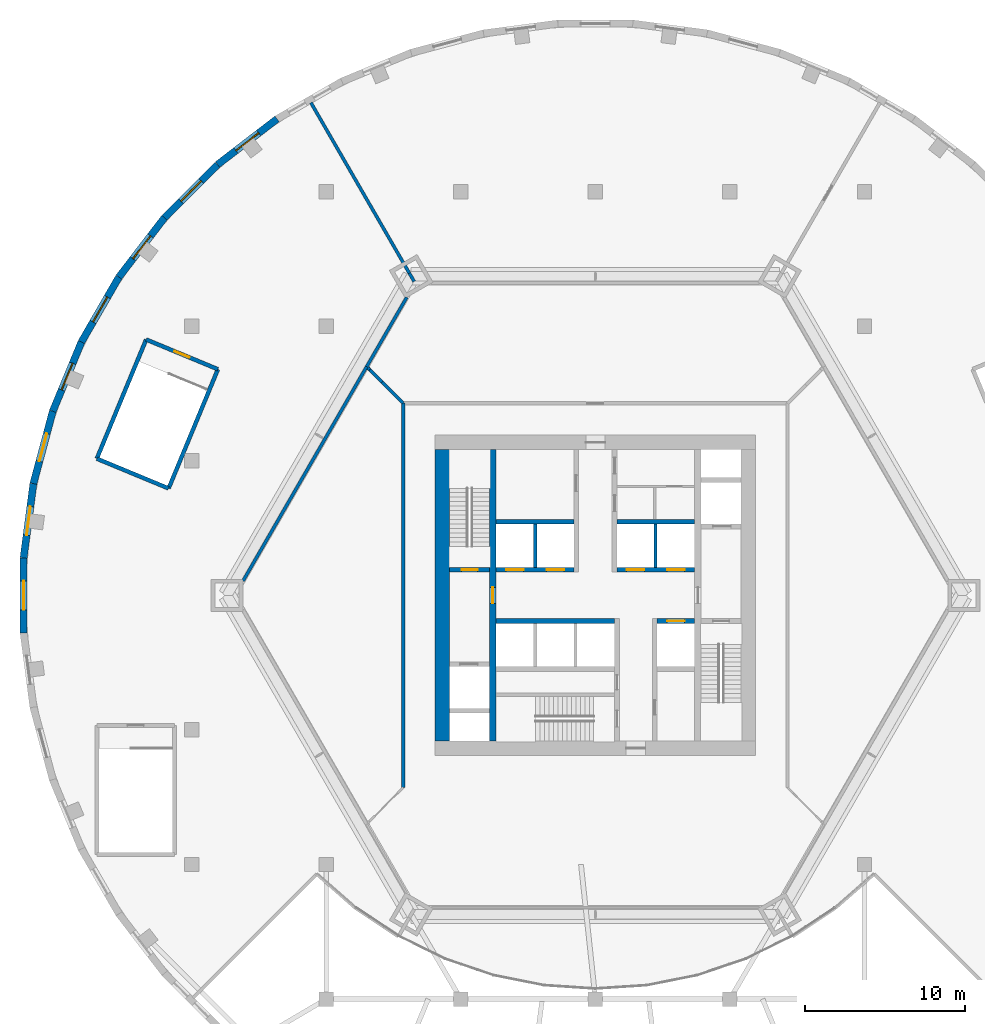
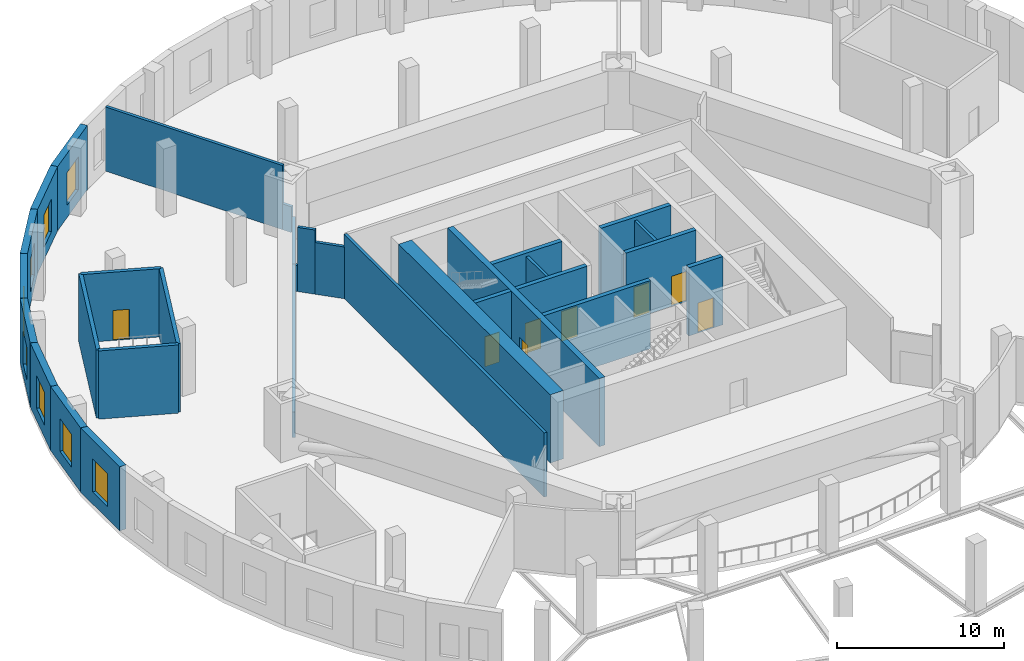
# One storey, part 6 of 10: 31 walls, 8 doors, 8 windows, 16 openings.
"""IFC4 building model written with IfcOpenShell, lengths in metres."""

from ifc_helpers import new_model, si_unit, direction, frame, frame_2d, origin, place, context, subcontext, project, spatial, rectangle, extrude, material, layer, layer_set, type_object, element, fill, save


model = new_model("IFC4")

# Units and contexts
model_context = context("Model", 3, precision=1e-05, world=origin(), true_north=direction((0.0, 1.0)))
body_context = subcontext(model_context, "Body", "Model", "MODEL_VIEW")
ifc_project = project(units=[si_unit("LENGTHUNIT", "METRE"), si_unit("AREAUNIT", "SQUARE_METRE"), si_unit("VOLUMEUNIT", "CUBIC_METRE"), si_unit("PLANEANGLEUNIT", "RADIAN"), si_unit("MASSUNIT", "GRAM", prefix="KILO")], contexts=[model_context])

# Site, building, storey
site_placement = place(None, origin())
site = spatial("IfcSite", under=ifc_project, at=site_placement, CompositionType="ELEMENT")
building_placement = place(site_placement, origin())
building = spatial("IfcBuilding", under=site, at=building_placement, Name="Golbaran Civic Tower", CompositionType="ELEMENT")
storey_placement = place(building_placement, frame((0.0, 0.0, 16.0)))
storey = spatial("IfcBuildingStorey", under=building, at=storey_placement, Name="L03", CompositionType="ELEMENT", Elevation=16.0)

# Wall, opening, door
ifc_material_1 = material(Name="Concrete C50/60", Category="concrete")
ifc_layer_1 = layer(ifc_material_1, 0.39990234375, Name="Concrete C50/60")
ifc_layer_set_1 = layer_set([ifc_layer_1], Name="Concrete C50/60")
wall_type_1 = type_object("IfcWallType", Name="CORE WALL CONCRETE 400", PredefinedType="SOLIDWALL", material=ifc_layer_set_1)
wall_1_placement = place(storey_placement, frame((-6.39990234375, -9.10009765625, 0.0), z_axis=(0.0, 0.0, 1.0), x_axis=(0.0, 1.0, 0.0)))
wall_1 = element("IfcWall", 1, at=wall_1_placement, inside=storey, type_object=wall_type_1, Name="Core wall IW L03", PredefinedType="SOLIDWALL", context=body_context, shape_type="SweptSolid", body=[
    extrude(rectangle(XDim=18.2001953125, YDim=0.39990234375, at=frame_2d((9.10009765625, 0.0))), origin(), (0.0, 0.0, 1.0), 5.0),
])
opening_1_placement = place(wall_1_placement, frame((8.60009765625, 0.0, 0.0)))
opening_1 = element("IfcOpeningElement", 2, at=opening_1_placement, cuts=wall_1, Name="Opening L03.FL1", PredefinedType="OPENING", context=body_context, shape_type="SweptSolid", body=[
    extrude(rectangle(XDim=1.0, YDim=2.199951171875, at=frame_2d((0.5, 1.10009765625))), frame((0.0, 0.2099609375, 0.0), z_axis=(0.0, -1.0, 0.0), x_axis=(1.0, 0.0, 0.0)), (0.0, 0.0, 1.0), 0.419921875),
])
ifc_material_2 = material(Name="Timber door set in steel frame", Category="steel")
door_type_1 = type_object("IfcDoorType", Name="STAIR DOOR 1000x2200", OperationType="SINGLE_SWING_LEFT", PredefinedType="DOOR", material=ifc_material_2)
door_1_placement = place(opening_1_placement, origin())
door_1 = element("IfcDoor", 3, at=door_1_placement, inside=storey, type_object=door_type_1, Name="Fire-fighting lobby FL1 door", OperationType="SINGLE_SWING_LEFT", OverallHeight=2.199951171875, OverallWidth=1.0, PredefinedType="DOOR", context=body_context, shape_type="SweptSolid", body=[
    extrude(rectangle(XDim=1.0, YDim=2.199951171875, at=frame_2d((0.5, 1.10009765625))), frame((0.0, 0.02490234375, 0.0), z_axis=(0.0, -1.0, 0.0), x_axis=(1.0, 0.0, 0.0)), (0.0, 0.0, 1.0), 0.050048828125),
])
fill(opening_1, door_1)

# Walls
ifc_layer_2 = layer(ifc_material_1, 0.89990234375, Name="Concrete C50/60")
ifc_layer_set_2 = layer_set([ifc_layer_2], Name="Concrete C50/60")
wall_type_2 = type_object("IfcWallType", Name="CORE WALL CONCRETE 900", PredefinedType="SOLIDWALL", material=ifc_layer_set_2)
wall_2_placement = place(storey_placement, frame((-9.550048828125, 9.10009765625, 0.0), z_axis=(0.0, 0.0, 1.0), x_axis=(0.0, -1.0, 0.0)))
element("IfcWall", 4, at=wall_2_placement, inside=storey, type_object=wall_type_2, Name="Core wall CW L03", PredefinedType="SOLIDWALL", context=body_context, shape_type="SweptSolid", body=[
    extrude(rectangle(XDim=18.2001953125, YDim=0.89990234375, at=frame_2d((9.10009765625, 0.0))), origin(), (0.0, 0.0, 1.0), 5.0),
])
ifc_material_3 = material(Name="Concrete block", Category="concrete")
ifc_layer_3 = layer(ifc_material_3, 0.199951171875, Name="Concrete block")
ifc_layer_set_3 = layer_set([ifc_layer_3], Name="Concrete block")
wall_type_3 = type_object("IfcWallType", Name="LIFT SEPARATOR WALL 200", PredefinedType="SOLIDWALL", material=ifc_layer_set_3)
for number, where, z_axis, x_axis, name in (
    (5, (-3.75, 1.75, 0.0), (0.0, 0.0, 1.0), (0.0, 1.0, 0.0), "Core partition SNW L03"),
    (6, (3.75, 1.75, 0.0), (0.0, 0.0, 1.0), (0.0, 1.0, 0.0), "Core partition SNE L03"),
):
    element("IfcWall", number, at=place(storey_placement, frame(where, z_axis=z_axis, x_axis=x_axis)), inside=storey, type_object=wall_type_3, Name=name, PredefinedType="SOLIDWALL", context=body_context, shape_type="SweptSolid", body=[
        extrude(rectangle(XDim=2.699951171875, YDim=0.199951171875, at=frame_2d((1.35009765625, 0.0))), origin(), (0.0, 0.0, 1.0), 4.75),
    ])
ifc_material_4 = material(Name="Concrete block, plastered", Category="concrete")
ifc_layer_4 = layer(ifc_material_4, 0.199951171875, Name="Concrete block, plastered")
ifc_layer_set_4 = layer_set([ifc_layer_4], Name="Concrete block, plastered")
wall_type_4 = type_object("IfcWallType", Name="PODIUM PARTITION 200", PredefinedType="PARTITIONING", material=ifc_layer_set_4)
wall_3_placement = place(storey_placement, frame((-22.0, 0.901123046875, 0.0), z_axis=(0.0, 0.0, 1.0), x_axis=(0.499789042554, 0.866147165869, 0.0)))
element("IfcWall", 7, at=wall_3_placement, inside=storey, type_object=wall_type_4, Name="Podium partition L03 under the transfer girder", PredefinedType="PARTITIONING", context=body_context, shape_type="SweptSolid", body=[
    extrude(rectangle(XDim=15.446533203125, YDim=0.199951171875, at=frame_2d((7.72314453125, 0.0))), origin(), (0.0, 0.0, 1.0), 1.889892578125),
])
wall_4_placement = place(storey_placement, frame((-17.760009765625, 30.760009765625, 0.0), z_axis=(0.0, 0.0, 1.0), x_axis=(0.499954853145, -0.866051467764, 0.0)))
element("IfcWall", 8, at=wall_4_placement, inside=storey, type_object=wall_type_4, Name="Podium partition L03", PredefinedType="PARTITIONING", context=body_context, shape_type="SweptSolid", body=[
    extrude(rectangle(XDim=12.276611328125, YDim=0.199951171875, at=frame_2d((6.13818359375, 0.0))), origin(), (0.0, 0.0, 1.0), 4.699951171875),
])
wall_5_placement = place(storey_placement, frame((-11.6201171875, 20.12353515625, 0.0), z_axis=(0.0, 0.0, 1.0), x_axis=(0.500070134591, -0.865984907773, 0.0)))
element("IfcWall", 9, at=wall_5_placement, inside=storey, type_object=wall_type_4, Name="Podium partition L03 under the beam over", PredefinedType="PARTITIONING", context=body_context, shape_type="SweptSolid", body=[
    extrude(rectangle(XDim=0.60791015625, YDim=0.199951171875, at=frame_2d((0.303955078125, 0.0))), origin(), (0.0, 0.0, 1.0), 1.889892578125),
])
wall_6_placement = place(storey_placement, frame((-14.0908203125, 14.0908203125, 0.0), z_axis=(0.0, 0.0, 1.0), x_axis=(0.707106781187, -0.707106781187, 0.0)))
element("IfcWall", 10, at=wall_6_placement, inside=storey, type_object=wall_type_4, Name="Podium partition L03", PredefinedType="PARTITIONING", context=body_context, shape_type="SweptSolid", body=[
    extrude(rectangle(XDim=1.09033203125, YDim=0.199951171875, at=frame_2d((0.545166015625, 0.0))), origin(), (0.0, 0.0, 1.0), 4.699951171875),
])
wall_7_placement = place(storey_placement, frame((-13.31982421875, 13.31982421875, 0.0), z_axis=(0.0, 0.0, 1.0), x_axis=(0.707106781187, -0.707106781187, 0.0)))
element("IfcWall", 11, at=wall_7_placement, inside=storey, type_object=wall_type_4, Name="Podium partition L03 (part 2)", PredefinedType="PARTITIONING", context=body_context, shape_type="SweptSolid", body=[
    extrude(rectangle(XDim=1.866455078125, YDim=0.199951171875, at=frame_2d((0.93310546875, 0.0))), origin(), (0.0, 0.0, 1.0), 3.7900390625),
])
wall_8_placement = place(storey_placement, frame((-14.20068359375, 14.20068359375, 0.0), z_axis=(0.0, 0.0, 1.0), x_axis=(0.707106781187, -0.707106781187, 0.0)))
element("IfcWall", 12, at=wall_8_placement, inside=storey, type_object=wall_type_4, Name="Podium partition L03 under the beam over", PredefinedType="PARTITIONING", context=body_context, shape_type="SweptSolid", body=[
    extrude(rectangle(XDim=0.1552734375, YDim=0.199951171875, at=frame_2d((0.07763671875, 0.0))), origin(), (0.0, 0.0, 1.0), 1.889892578125),
])
wall_9_placement = place(storey_placement, frame((-14.280029296875, 14.280029296875, 0.0), z_axis=(0.0, 0.0, 1.0), x_axis=(0.500785735381, 0.865571283742, 0.0)))
element("IfcWall", 13, at=wall_9_placement, inside=storey, type_object=wall_type_4, Name="Podium partition L03 under the transfer girder", PredefinedType="PARTITIONING", context=body_context, shape_type="SweptSolid", body=[
    extrude(rectangle(XDim=4.994140625, YDim=0.199951171875, at=frame_2d((2.4970703125, 0.0))), origin(), (0.0, 0.0, 1.0), 1.889892578125),
])
wall_10_placement = place(storey_placement, frame((-12.0, 12.0, 0.0), z_axis=(0.0, 0.0, 1.0), x_axis=(0.0, -1.0, 0.0)))
element("IfcWall", 14, at=wall_10_placement, inside=storey, type_object=wall_type_4, Name="Podium corridor wall L03", PredefinedType="PARTITIONING", context=body_context, shape_type="SweptSolid", body=[
    extrude(rectangle(XDim=24.0, YDim=0.199951171875, at=frame_2d((12.0, 0.0))), origin(), (0.0, 0.0, 1.0), 4.699951171875),
])

# Wall, openings, doors
ifc_layer_5 = layer(ifc_material_1, 0.300048828125, Name="Concrete C50/60")
ifc_layer_set_5 = layer_set([ifc_layer_5], Name="Concrete C50/60")
wall_type_5 = type_object("IfcWallType", Name="SHAFT WALL CONCRETE 300", PredefinedType="SOLIDWALL", material=ifc_layer_set_5)
wall_11_placement = place(storey_placement, frame((-6.199951171875, 1.60009765625, 0.0), z_axis=(0.0, 0.0, 1.0), x_axis=(1.0, 0.0, 0.0)))
wall_11 = element("IfcWall", 15, at=wall_11_placement, inside=storey, type_object=wall_type_5, Name="Core wall FNW L03", PredefinedType="SOLIDWALL", context=body_context, shape_type="SweptSolid", body=[
    extrude(rectangle(XDim=4.849853515625, YDim=0.300048828125, at=frame_2d((2.4248046875, 0.0))), origin(), (0.0, 0.0, 1.0), 5.0),
])
opening_2_placement = place(wall_11_placement, frame((0.625, 0.0, 0.0)))
opening_2 = element("IfcOpeningElement", 16, at=opening_2_placement, cuts=wall_11, Name="Opening L03.LD-Z1L", PredefinedType="OPENING", context=body_context, shape_type="SweptSolid", body=[
    extrude(rectangle(XDim=1.10009765625, YDim=2.199951171875, at=frame_2d((0.550048828125, 1.10009765625))), frame((0.0, 0.159912109375, 0.0), z_axis=(0.0, -1.0, 0.0), x_axis=(1.0, 0.0, 0.0)), (0.0, 0.0, 1.0), 0.320068359375),
])
opening_3_placement = place(wall_11_placement, frame((3.14990234375, 0.0, 0.0)))
opening_3 = element("IfcOpeningElement", 17, at=opening_3_placement, cuts=wall_11, Name="Opening L03.LD-Z2L", PredefinedType="OPENING", context=body_context, shape_type="SweptSolid", body=[
    extrude(rectangle(XDim=1.10009765625, YDim=2.199951171875, at=frame_2d((0.550048828125, 1.10009765625))), frame((0.0, 0.159912109375, 0.0), z_axis=(0.0, -1.0, 0.0), x_axis=(1.0, 0.0, 0.0)), (0.0, 0.0, 1.0), 0.320068359375),
])
ifc_material_5 = material(Name="Stainless steel", Category="steel")
door_type_2 = type_object("IfcDoorType", Name="LIFT LANDING DOOR 1100x2200", OperationType="SLIDING_TO_LEFT", PredefinedType="DOOR", material=ifc_material_5)
door_2_placement = place(opening_2_placement, origin())
door_2 = element("IfcDoor", 18, at=door_2_placement, inside=storey, type_object=door_type_2, Name="Lift landing door Z1L", OperationType="SLIDING_TO_LEFT", OverallHeight=2.199951171875, OverallWidth=1.10009765625, PredefinedType="DOOR", context=body_context, shape_type="SweptSolid", body=[
    extrude(rectangle(XDim=1.10009765625, YDim=2.199951171875, at=frame_2d((0.550048828125, 1.10009765625))), frame((0.0, 0.02490234375, 0.0), z_axis=(0.0, -1.0, 0.0), x_axis=(1.0, 0.0, 0.0)), (0.0, 0.0, 1.0), 0.050048828125),
])
fill(opening_2, door_2)
door_3_placement = place(opening_3_placement, origin())
door_3 = element("IfcDoor", 19, at=door_3_placement, inside=storey, type_object=door_type_2, Name="Lift landing door Z2L", OperationType="SLIDING_TO_LEFT", OverallHeight=2.199951171875, OverallWidth=1.10009765625, PredefinedType="DOOR", context=body_context, shape_type="SweptSolid", body=[
    extrude(rectangle(XDim=1.10009765625, YDim=2.199951171875, at=frame_2d((0.550048828125, 1.10009765625))), frame((0.0, 0.02490234375, 0.0), z_axis=(0.0, -1.0, 0.0), x_axis=(1.0, 0.0, 0.0)), (0.0, 0.0, 1.0), 0.050048828125),
])
fill(opening_3, door_3)

wall_12_placement = place(storey_placement, frame((1.35009765625, 1.60009765625, 0.0), z_axis=(0.0, 0.0, 1.0), x_axis=(1.0, 0.0, 0.0)))
wall_12 = element("IfcWall", 20, at=wall_12_placement, inside=storey, type_object=wall_type_5, Name="Core wall FNE L03", PredefinedType="SOLIDWALL", context=body_context, shape_type="SweptSolid", body=[
    extrude(rectangle(XDim=4.849853515625, YDim=0.300048828125, at=frame_2d((2.4248046875, 0.0))), origin(), (0.0, 0.0, 1.0), 5.0),
])
opening_4_placement = place(wall_12_placement, frame((0.60009765625, 0.0, 0.0)))
opening_4 = element("IfcOpeningElement", 21, at=opening_4_placement, cuts=wall_12, Name="Opening L03.LD-Z3L", PredefinedType="OPENING", context=body_context, shape_type="SweptSolid", body=[
    extrude(rectangle(XDim=1.10009765625, YDim=2.199951171875, at=frame_2d((0.550048828125, 1.10009765625))), frame((0.0, 0.159912109375, 0.0), z_axis=(0.0, -1.0, 0.0), x_axis=(1.0, 0.0, 0.0)), (0.0, 0.0, 1.0), 0.320068359375),
])
opening_5_placement = place(wall_12_placement, frame((3.125, 0.0, 0.0)))
opening_5 = element("IfcOpeningElement", 22, at=opening_5_placement, cuts=wall_12, Name="Opening L03.LD-Z4L", PredefinedType="OPENING", context=body_context, shape_type="SweptSolid", body=[
    extrude(rectangle(XDim=1.10009765625, YDim=2.199951171875, at=frame_2d((0.550048828125, 1.10009765625))), frame((0.0, 0.159912109375, 0.0), z_axis=(0.0, -1.0, 0.0), x_axis=(1.0, 0.0, 0.0)), (0.0, 0.0, 1.0), 0.320068359375),
])
door_4_placement = place(opening_4_placement, origin())
door_4 = element("IfcDoor", 23, at=door_4_placement, inside=storey, type_object=door_type_2, Name="Lift landing door Z3L", OperationType="SLIDING_TO_LEFT", OverallHeight=2.199951171875, OverallWidth=1.10009765625, PredefinedType="DOOR", context=body_context, shape_type="SweptSolid", body=[
    extrude(rectangle(XDim=1.10009765625, YDim=2.199951171875, at=frame_2d((0.550048828125, 1.10009765625))), frame((0.0, 0.02490234375, 0.0), z_axis=(0.0, -1.0, 0.0), x_axis=(1.0, 0.0, 0.0)), (0.0, 0.0, 1.0), 0.050048828125),
])
fill(opening_4, door_4)
door_5_placement = place(opening_5_placement, origin())
door_5 = element("IfcDoor", 24, at=door_5_placement, inside=storey, type_object=door_type_2, Name="Lift landing door Z4L", OperationType="SLIDING_TO_LEFT", OverallHeight=2.199951171875, OverallWidth=1.10009765625, PredefinedType="DOOR", context=body_context, shape_type="SweptSolid", body=[
    extrude(rectangle(XDim=1.10009765625, YDim=2.199951171875, at=frame_2d((0.550048828125, 1.10009765625))), frame((0.0, 0.02490234375, 0.0), z_axis=(0.0, -1.0, 0.0), x_axis=(1.0, 0.0, 0.0)), (0.0, 0.0, 1.0), 0.050048828125),
])
fill(opening_5, door_5)

# Walls
for number, where, z_axis, x_axis, name in (
    (25, (-6.199951171875, 4.60009765625, 0.0), (0.0, 0.0, 1.0), (1.0, 0.0, 0.0), "Core wall BNW L03"),
    (26, (1.35009765625, 4.60009765625, 0.0), (0.0, 0.0, 1.0), (1.0, 0.0, 0.0), "Core wall BNE L03"),
):
    element("IfcWall", number, at=place(storey_placement, frame(where, z_axis=z_axis, x_axis=x_axis)), inside=storey, type_object=wall_type_5, Name=name, PredefinedType="SOLIDWALL", context=body_context, shape_type="SweptSolid", body=[
        extrude(rectangle(XDim=4.849853515625, YDim=0.300048828125, at=frame_2d((2.4248046875, 0.0))), origin(), (0.0, 0.0, 1.0), 5.0),
    ])
wall_13_placement = place(storey_placement, frame((-6.199951171875, -1.60009765625, 0.0), z_axis=(0.0, 0.0, 1.0), x_axis=(1.0, 0.0, 0.0)))
element("IfcWall", 27, at=wall_13_placement, inside=storey, type_object=wall_type_5, Name="Core wall FSW L03", PredefinedType="SOLIDWALL", context=body_context, shape_type="SweptSolid", body=[
    extrude(rectangle(XDim=7.39990234375, YDim=0.300048828125, at=frame_2d((3.699951171875, 0.0))), origin(), (0.0, 0.0, 1.0), 5.0),
])

# Wall, opening, door
wall_14_placement = place(storey_placement, frame((3.85009765625, -1.60009765625, 0.0), z_axis=(0.0, 0.0, 1.0), x_axis=(1.0, 0.0, 0.0)))
wall_14 = element("IfcWall", 28, at=wall_14_placement, inside=storey, type_object=wall_type_5, Name="Core wall FSE L03", PredefinedType="SOLIDWALL", context=body_context, shape_type="SweptSolid", body=[
    extrude(rectangle(XDim=2.349853515625, YDim=0.300048828125, at=frame_2d((1.1748046875, 0.0))), origin(), (0.0, 0.0, 1.0), 5.0),
])
opening_6_placement = place(wall_14_placement, frame((0.625, 0.0, 0.0)))
opening_6 = element("IfcOpeningElement", 29, at=opening_6_placement, cuts=wall_14, Name="Opening L03.LD-V1", PredefinedType="OPENING", context=body_context, shape_type="SweptSolid", body=[
    extrude(rectangle(XDim=1.10009765625, YDim=2.199951171875, at=frame_2d((0.550048828125, 1.10009765625))), frame((0.0, 0.159912109375, 0.0), z_axis=(0.0, -1.0, 0.0), x_axis=(1.0, 0.0, 0.0)), (0.0, 0.0, 1.0), 0.320068359375),
])
door_6_placement = place(opening_6_placement, origin())
door_6 = element("IfcDoor", 30, at=door_6_placement, inside=storey, type_object=door_type_2, Name="Lift landing door V1", OperationType="SLIDING_TO_LEFT", OverallHeight=2.199951171875, OverallWidth=1.10009765625, PredefinedType="DOOR", context=body_context, shape_type="SweptSolid", body=[
    extrude(rectangle(XDim=1.10009765625, YDim=2.199951171875, at=frame_2d((0.550048828125, 1.10009765625))), frame((0.0, 0.02490234375, 0.0), z_axis=(0.0, -1.0, 0.0), x_axis=(1.0, 0.0, 0.0)), (0.0, 0.0, 1.0), 0.050048828125),
])
fill(opening_6, door_6)

wall_15_placement = place(storey_placement, frame((-9.10009765625, 1.60009765625, 0.0), z_axis=(0.0, 0.0, 1.0), x_axis=(1.0, 0.0, 0.0)))
wall_15 = element("IfcWall", 31, at=wall_15_placement, inside=storey, type_object=wall_type_5, Name="Core wall XW1 L03", PredefinedType="SOLIDWALL", context=body_context, shape_type="SweptSolid", body=[
    extrude(rectangle(XDim=2.5, YDim=0.300048828125, at=frame_2d((1.25, 0.0))), origin(), (0.0, 0.0, 1.0), 5.0),
])
opening_7_placement = place(wall_15_placement, frame((0.75, 0.0, 0.0)))
opening_7 = element("IfcOpeningElement", 32, at=opening_7_placement, cuts=wall_15, Name="Opening L03.S1", PredefinedType="OPENING", context=body_context, shape_type="SweptSolid", body=[
    extrude(rectangle(XDim=1.0, YDim=2.199951171875, at=frame_2d((0.5, 1.10009765625))), frame((0.0, 0.159912109375, 0.0), z_axis=(0.0, -1.0, 0.0), x_axis=(1.0, 0.0, 0.0)), (0.0, 0.0, 1.0), 0.320068359375),
])
door_7_placement = place(opening_7_placement, origin())
door_7 = element("IfcDoor", 33, at=door_7_placement, inside=storey, type_object=door_type_1, Name="Stair S1 door", OperationType="SINGLE_SWING_LEFT", OverallHeight=2.199951171875, OverallWidth=1.0, PredefinedType="DOOR", context=body_context, shape_type="SweptSolid", body=[
    extrude(rectangle(XDim=1.0, YDim=2.199951171875, at=frame_2d((0.5, 1.10009765625))), frame((0.0, 0.02490234375, 0.0), z_axis=(0.0, -1.0, 0.0), x_axis=(1.0, 0.0, 0.0)), (0.0, 0.0, 1.0), 0.050048828125),
])
fill(opening_7, door_7)

ifc_layer_6 = layer(ifc_material_1, 0.25, Name="Concrete C50/60")
ifc_layer_set_6 = layer_set([ifc_layer_6], Name="Concrete C50/60")
wall_type_6 = type_object("IfcWallType", Name="STAIR ENCLOSURE WALL CONCRETE 250", PredefinedType="SOLIDWALL", material=ifc_layer_set_6)
wall_16_placement = place(storey_placement, frame((-28.046875, 15.97412109375, 0.0), z_axis=(0.0, 0.0, 1.0), x_axis=(0.923862828997, -0.382723755727, 0.0)))
wall_16 = element("IfcWall", 34, at=wall_16_placement, inside=storey, type_object=wall_type_6, Name="Stair P2 enclosure A L03", PredefinedType="SOLIDWALL", context=body_context, shape_type="SweptSolid", body=[
    extrude(rectangle(XDim=4.85009765625, YDim=0.25, at=frame_2d((2.425048828125, 0.0))), origin(), (0.0, 0.0, 1.0), 5.0),
])
opening_8_placement = place(wall_16_placement, frame((1.925048828125, 0.0, 0.0)))
opening_8 = element("IfcOpeningElement", 35, at=opening_8_placement, cuts=wall_16, Name="Opening L03.P2", PredefinedType="OPENING", context=body_context, shape_type="SweptSolid", body=[
    extrude(rectangle(XDim=1.0, YDim=2.199951171875, at=frame_2d((0.5, 1.10009765625))), frame((0.0, 0.135009765625, 0.0), z_axis=(0.0, -1.0, 0.0), x_axis=(1.0, 0.0, 0.0)), (0.0, 0.0, 1.0), 0.27001953125),
])
door_8_placement = place(opening_8_placement, origin())
door_8 = element("IfcDoor", 36, at=door_8_placement, inside=storey, type_object=door_type_1, Name="Stair P2 door", OperationType="SINGLE_SWING_LEFT", OverallHeight=2.199951171875, OverallWidth=1.0, PredefinedType="DOOR", context=body_context, shape_type="SweptSolid", body=[
    extrude(rectangle(XDim=1.0, YDim=2.199951171875, at=frame_2d((0.5, 1.10009765625))), frame((0.0, 0.02490234375, 0.0), z_axis=(0.0, -1.0, 0.0), x_axis=(1.0, 0.0, 0.0)), (0.0, 0.0, 1.0), 0.050048828125),
])
fill(opening_8, door_8)

# Walls
wall_17_placement = place(storey_placement, frame((-23.566162109375, 14.117919921875, 0.0), z_axis=(0.0, 0.0, 1.0), x_axis=(-0.382689294869, -0.923877104161, 0.0)))
element("IfcWall", 37, at=wall_17_placement, inside=storey, type_object=wall_type_6, Name="Stair P2 enclosure B L03", PredefinedType="SOLIDWALL", context=body_context, shape_type="SweptSolid", body=[
    extrude(rectangle(XDim=8.0498046875, YDim=0.25, at=frame_2d((4.02490234375, 0.0))), origin(), (0.0, 0.0, 1.0), 5.0),
])
wall_18_placement = place(storey_placement, frame((-26.646728515625, 6.680908203125, 0.0), z_axis=(0.0, 0.0, 1.0), x_axis=(-0.923880627248, 0.382680789426, 0.0)))
element("IfcWall", 38, at=wall_18_placement, inside=storey, type_object=wall_type_6, Name="Stair P2 enclosure C L03", PredefinedType="SOLIDWALL", context=body_context, shape_type="SweptSolid", body=[
    extrude(rectangle(XDim=4.849853515625, YDim=0.25, at=frame_2d((2.4248046875, 0.0))), origin(), (0.0, 0.0, 1.0), 5.0),
])
wall_19_placement = place(storey_placement, frame((-31.12744140625, 8.536865234375, 0.0), z_axis=(0.0, 0.0, 1.0), x_axis=(0.382678572144, 0.923881545666, 0.0)))
element("IfcWall", 39, at=wall_19_placement, inside=storey, type_object=wall_type_6, Name="Stair P2 enclosure D L03", PredefinedType="SOLIDWALL", context=body_context, shape_type="SweptSolid", body=[
    extrude(rectangle(XDim=8.050048828125, YDim=0.25, at=frame_2d((4.02490234375, 0.0))), origin(), (0.0, 0.0, 1.0), 5.0),
])

# Wall, opening, window
ifc_material_6 = material(Name="Terracotta brick", Category="masonry")
ifc_layer_7 = layer(ifc_material_6, 0.449951171875, Name="Terracotta brick")
ifc_layer_set_7 = layer_set([ifc_layer_7], Name="Terracotta brick")
wall_type_7 = type_object("IfcWallType", Name="TERRACOTTA BRICK FACADE WALL 450", PredefinedType="SOLIDWALL", material=ifc_layer_set_7)
wall_20_placement = place(storey_placement, frame((-19.87548828125, 29.745849609375, 0.0), z_axis=(0.0, 0.0, 1.0), x_axis=(-0.79334682721, -0.608769916927, 0.0)))
wall_20 = element("IfcWall", 40, at=wall_20_placement, inside=storey, type_object=wall_type_7, Name="Podium wall L03 facet 17", PredefinedType="SOLIDWALL", context=body_context, shape_type="SweptSolid", body=[
    extrude(rectangle(XDim=4.6796875, YDim=0.449951171875, at=frame_2d((2.33984375, 0.0))), origin(), (0.0, 0.0, 1.0), 4.699951171875),
])
opening_9_placement = place(wall_20_placement, frame((1.439697265625, 0.0, 0.89990234375)))
opening_9 = element("IfcOpeningElement", 41, at=opening_9_placement, cuts=wall_20, Name="Opening L03.W19", PredefinedType="OPENING", context=body_context, shape_type="SweptSolid", body=[
    extrude(rectangle(XDim=1.800048828125, YDim=2.39990234375, at=frame_2d((0.89990234375, 1.199951171875))), frame((0.0, 0.23486328125, 0.0), z_axis=(0.0, -1.0, 0.0), x_axis=(1.0, 0.0, 0.0)), (0.0, 0.0, 1.0), 0.469970703125),
])
ifc_material_7 = material(Name="Aluminium frame, clear glass", Category="aluminium")
window_type = type_object("IfcWindowType", Name="PODIUM WINDOW 1800x2400", PartitioningType="SINGLE_PANEL", PredefinedType="WINDOW", material=ifc_material_7)
window_1_placement = place(opening_9_placement, origin())
window_1 = element("IfcWindow", 42, at=window_1_placement, inside=storey, type_object=window_type, Name="Podium window L03 facet 17", OverallHeight=2.39990234375, OverallWidth=1.800048828125, PartitioningType="SINGLE_PANEL", PredefinedType="WINDOW", context=body_context, shape_type="SweptSolid", body=[
    extrude(rectangle(XDim=1.800048828125, YDim=2.39990234375, at=frame_2d((0.89990234375, 1.199951171875))), frame((0.0, 0.030029296875, 0.0), z_axis=(0.0, -1.0, 0.0), x_axis=(1.0, 0.0, 0.0)), (0.0, 0.0, 1.0), 0.06005859375),
])
fill(opening_9, window_1)

wall_21_placement = place(storey_placement, frame((-23.588134765625, 26.89697265625, 0.0), z_axis=(0.0, 0.0, 1.0), x_axis=(-0.707106781187, -0.707106781187, 0.0)))
wall_21 = element("IfcWall", 43, at=wall_21_placement, inside=storey, type_object=wall_type_7, Name="Podium wall L03 facet 18", PredefinedType="SOLIDWALL", context=body_context, shape_type="SweptSolid", body=[
    extrude(rectangle(XDim=4.679443359375, YDim=0.449951171875, at=frame_2d((2.33984375, 0.0))), origin(), (0.0, 0.0, 1.0), 4.699951171875),
])
opening_10_placement = place(wall_21_placement, frame((1.439697265625, 0.0, 0.89990234375)))
opening_10 = element("IfcOpeningElement", 44, at=opening_10_placement, cuts=wall_21, Name="Opening L03.W20", PredefinedType="OPENING", context=body_context, shape_type="SweptSolid", body=[
    extrude(rectangle(XDim=1.800048828125, YDim=2.39990234375, at=frame_2d((0.89990234375, 1.199951171875))), frame((0.0, 0.23486328125, 0.0), z_axis=(0.0, -1.0, 0.0), x_axis=(1.0, 0.0, 0.0)), (0.0, 0.0, 1.0), 0.469970703125),
])
window_2_placement = place(opening_10_placement, origin())
window_2 = element("IfcWindow", 45, at=window_2_placement, inside=storey, type_object=window_type, Name="Podium window L03 facet 18", OverallHeight=2.39990234375, OverallWidth=1.800048828125, PartitioningType="SINGLE_PANEL", PredefinedType="WINDOW", context=body_context, shape_type="SweptSolid", body=[
    extrude(rectangle(XDim=1.800048828125, YDim=2.39990234375, at=frame_2d((0.89990234375, 1.199951171875))), frame((0.0, 0.030029296875, 0.0), z_axis=(0.0, -1.0, 0.0), x_axis=(1.0, 0.0, 0.0)), (0.0, 0.0, 1.0), 0.06005859375),
])
fill(opening_10, window_2)

wall_22_placement = place(storey_placement, frame((-26.89697265625, 23.588134765625, 0.0), z_axis=(0.0, 0.0, 1.0), x_axis=(-0.608769916927, -0.79334682721, 0.0)))
wall_22 = element("IfcWall", 46, at=wall_22_placement, inside=storey, type_object=wall_type_7, Name="Podium wall L03 facet 19", PredefinedType="SOLIDWALL", context=body_context, shape_type="SweptSolid", body=[
    extrude(rectangle(XDim=4.6796875, YDim=0.449951171875, at=frame_2d((2.33984375, 0.0))), origin(), (0.0, 0.0, 1.0), 4.699951171875),
])
opening_11_placement = place(wall_22_placement, frame((1.439697265625, 0.0, 0.89990234375)))
opening_11 = element("IfcOpeningElement", 47, at=opening_11_placement, cuts=wall_22, Name="Opening L03.W21", PredefinedType="OPENING", context=body_context, shape_type="SweptSolid", body=[
    extrude(rectangle(XDim=1.800048828125, YDim=2.39990234375, at=frame_2d((0.89990234375, 1.199951171875))), frame((0.0, 0.23486328125, 0.0), z_axis=(0.0, -1.0, 0.0), x_axis=(1.0, 0.0, 0.0)), (0.0, 0.0, 1.0), 0.469970703125),
])
window_3_placement = place(opening_11_placement, origin())
window_3 = element("IfcWindow", 48, at=window_3_placement, inside=storey, type_object=window_type, Name="Podium window L03 facet 19", OverallHeight=2.39990234375, OverallWidth=1.800048828125, PartitioningType="SINGLE_PANEL", PredefinedType="WINDOW", context=body_context, shape_type="SweptSolid", body=[
    extrude(rectangle(XDim=1.800048828125, YDim=2.39990234375, at=frame_2d((0.89990234375, 1.199951171875))), frame((0.0, 0.030029296875, 0.0), z_axis=(0.0, -1.0, 0.0), x_axis=(1.0, 0.0, 0.0)), (0.0, 0.0, 1.0), 0.06005859375),
])
fill(opening_11, window_3)

wall_23_placement = place(storey_placement, frame((-29.745849609375, 19.87548828125, 0.0), z_axis=(0.0, 0.0, 1.0), x_axis=(-0.500022025083, -0.866012687223, 0.0)))
wall_23 = element("IfcWall", 49, at=wall_23_placement, inside=storey, type_object=wall_type_7, Name="Podium wall L03 facet 20", PredefinedType="SOLIDWALL", context=body_context, shape_type="SweptSolid", body=[
    extrude(rectangle(XDim=4.679443359375, YDim=0.449951171875, at=frame_2d((2.33984375, 0.0))), origin(), (0.0, 0.0, 1.0), 4.699951171875),
])
opening_12_placement = place(wall_23_placement, frame((1.439697265625, 0.0, 0.89990234375)))
opening_12 = element("IfcOpeningElement", 50, at=opening_12_placement, cuts=wall_23, Name="Opening L03.W22", PredefinedType="OPENING", context=body_context, shape_type="SweptSolid", body=[
    extrude(rectangle(XDim=1.800048828125, YDim=2.39990234375, at=frame_2d((0.89990234375, 1.199951171875))), frame((0.0, 0.23486328125, 0.0), z_axis=(0.0, -1.0, 0.0), x_axis=(1.0, 0.0, 0.0)), (0.0, 0.0, 1.0), 0.469970703125),
])
window_4_placement = place(opening_12_placement, origin())
window_4 = element("IfcWindow", 51, at=window_4_placement, inside=storey, type_object=window_type, Name="Podium window L03 facet 20", OverallHeight=2.39990234375, OverallWidth=1.800048828125, PartitioningType="SINGLE_PANEL", PredefinedType="WINDOW", context=body_context, shape_type="SweptSolid", body=[
    extrude(rectangle(XDim=1.800048828125, YDim=2.39990234375, at=frame_2d((0.89990234375, 1.199951171875))), frame((0.0, 0.030029296875, 0.0), z_axis=(0.0, -1.0, 0.0), x_axis=(1.0, 0.0, 0.0)), (0.0, 0.0, 1.0), 0.06005859375),
])
fill(opening_12, window_4)

wall_24_placement = place(storey_placement, frame((-32.085693359375, 15.822998046875, 0.0), z_axis=(0.0, 0.0, 1.0), x_axis=(-0.382669718086, -0.923885213032, 0.0)))
wall_24 = element("IfcWall", 52, at=wall_24_placement, inside=storey, type_object=wall_type_7, Name="Podium wall L03 facet 21", PredefinedType="SOLIDWALL", context=body_context, shape_type="SweptSolid", body=[
    extrude(rectangle(XDim=4.6796875, YDim=0.449951171875, at=frame_2d((2.33984375, 0.0))), origin(), (0.0, 0.0, 1.0), 4.699951171875),
])
opening_13_placement = place(wall_24_placement, frame((1.439697265625, 0.0, 0.89990234375)))
opening_13 = element("IfcOpeningElement", 53, at=opening_13_placement, cuts=wall_24, Name="Opening L03.W23", PredefinedType="OPENING", context=body_context, shape_type="SweptSolid", body=[
    extrude(rectangle(XDim=1.800048828125, YDim=2.39990234375, at=frame_2d((0.89990234375, 1.199951171875))), frame((0.0, 0.23486328125, 0.0), z_axis=(0.0, -1.0, 0.0), x_axis=(1.0, 0.0, 0.0)), (0.0, 0.0, 1.0), 0.469970703125),
])
window_5_placement = place(opening_13_placement, origin())
window_5 = element("IfcWindow", 54, at=window_5_placement, inside=storey, type_object=window_type, Name="Podium window L03 facet 21", OverallHeight=2.39990234375, OverallWidth=1.800048828125, PartitioningType="SINGLE_PANEL", PredefinedType="WINDOW", context=body_context, shape_type="SweptSolid", body=[
    extrude(rectangle(XDim=1.800048828125, YDim=2.39990234375, at=frame_2d((0.89990234375, 1.199951171875))), frame((0.0, 0.030029296875, 0.0), z_axis=(0.0, -1.0, 0.0), x_axis=(1.0, 0.0, 0.0)), (0.0, 0.0, 1.0), 0.06005859375),
])
fill(opening_13, window_5)

wall_25_placement = place(storey_placement, frame((-33.87646484375, 11.49951171875, 0.0), z_axis=(0.0, 0.0, 1.0), x_axis=(-0.258815185258, -0.965926860523, 0.0)))
wall_25 = element("IfcWall", 55, at=wall_25_placement, inside=storey, type_object=wall_type_7, Name="Podium wall L03 facet 22", PredefinedType="SOLIDWALL", context=body_context, shape_type="SweptSolid", body=[
    extrude(rectangle(XDim=4.6796875, YDim=0.449951171875, at=frame_2d((2.33984375, 0.0))), origin(), (0.0, 0.0, 1.0), 4.699951171875),
])
opening_14_placement = place(wall_25_placement, frame((1.439697265625, 0.0, 0.89990234375)))
opening_14 = element("IfcOpeningElement", 56, at=opening_14_placement, cuts=wall_25, Name="Opening L03.W24", PredefinedType="OPENING", context=body_context, shape_type="SweptSolid", body=[
    extrude(rectangle(XDim=1.800048828125, YDim=2.39990234375, at=frame_2d((0.89990234375, 1.199951171875))), frame((0.0, 0.23486328125, 0.0), z_axis=(0.0, -1.0, 0.0), x_axis=(1.0, 0.0, 0.0)), (0.0, 0.0, 1.0), 0.469970703125),
])
window_6_placement = place(opening_14_placement, origin())
window_6 = element("IfcWindow", 57, at=window_6_placement, inside=storey, type_object=window_type, Name="Podium window L03 facet 22", OverallHeight=2.39990234375, OverallWidth=1.800048828125, PartitioningType="SINGLE_PANEL", PredefinedType="WINDOW", context=body_context, shape_type="SweptSolid", body=[
    extrude(rectangle(XDim=1.800048828125, YDim=2.39990234375, at=frame_2d((0.89990234375, 1.199951171875))), frame((0.0, 0.030029296875, 0.0), z_axis=(0.0, -1.0, 0.0), x_axis=(1.0, 0.0, 0.0)), (0.0, 0.0, 1.0), 0.06005859375),
])
fill(opening_14, window_6)

wall_26_placement = place(storey_placement, frame((-35.087646484375, 6.979248046875, 0.0), z_axis=(0.0, 0.0, 1.0), x_axis=(-0.130536838198, -0.991443459746, 0.0)))
wall_26 = element("IfcWall", 58, at=wall_26_placement, inside=storey, type_object=wall_type_7, Name="Podium wall L03 facet 23", PredefinedType="SOLIDWALL", context=body_context, shape_type="SweptSolid", body=[
    extrude(rectangle(XDim=4.679443359375, YDim=0.449951171875, at=frame_2d((2.33984375, 0.0))), origin(), (0.0, 0.0, 1.0), 4.699951171875),
])
opening_15_placement = place(wall_26_placement, frame((1.439697265625, 0.0, 0.89990234375)))
opening_15 = element("IfcOpeningElement", 59, at=opening_15_placement, cuts=wall_26, Name="Opening L03.W25", PredefinedType="OPENING", context=body_context, shape_type="SweptSolid", body=[
    extrude(rectangle(XDim=1.800048828125, YDim=2.39990234375, at=frame_2d((0.89990234375, 1.199951171875))), frame((0.0, 0.23486328125, 0.0), z_axis=(0.0, -1.0, 0.0), x_axis=(1.0, 0.0, 0.0)), (0.0, 0.0, 1.0), 0.469970703125),
])
window_7_placement = place(opening_15_placement, origin())
window_7 = element("IfcWindow", 60, at=window_7_placement, inside=storey, type_object=window_type, Name="Podium window L03 facet 23", OverallHeight=2.39990234375, OverallWidth=1.800048828125, PartitioningType="SINGLE_PANEL", PredefinedType="WINDOW", context=body_context, shape_type="SweptSolid", body=[
    extrude(rectangle(XDim=1.800048828125, YDim=2.39990234375, at=frame_2d((0.89990234375, 1.199951171875))), frame((0.0, 0.030029296875, 0.0), z_axis=(0.0, -1.0, 0.0), x_axis=(1.0, 0.0, 0.0)), (0.0, 0.0, 1.0), 0.06005859375),
])
fill(opening_15, window_7)

wall_27_placement = place(storey_placement, frame((-35.698486328125, 2.33984375, 0.0), z_axis=(0.0, 0.0, 1.0), x_axis=(0.0, -1.0, 0.0)))
wall_27 = element("IfcWall", 61, at=wall_27_placement, inside=storey, type_object=wall_type_7, Name="Podium wall L03 facet 24", PredefinedType="SOLIDWALL", context=body_context, shape_type="SweptSolid", body=[
    extrude(rectangle(XDim=4.6796875, YDim=0.449951171875, at=frame_2d((2.33984375, 0.0))), origin(), (0.0, 0.0, 1.0), 4.699951171875),
])
opening_16_placement = place(wall_27_placement, frame((1.439697265625, 0.0, 0.89990234375)))
opening_16 = element("IfcOpeningElement", 62, at=opening_16_placement, cuts=wall_27, Name="Opening L03.W26", PredefinedType="OPENING", context=body_context, shape_type="SweptSolid", body=[
    extrude(rectangle(XDim=1.800048828125, YDim=2.39990234375, at=frame_2d((0.89990234375, 1.199951171875))), frame((0.0, 0.23486328125, 0.0), z_axis=(0.0, -1.0, 0.0), x_axis=(1.0, 0.0, 0.0)), (0.0, 0.0, 1.0), 0.469970703125),
])
window_8_placement = place(opening_16_placement, origin())
window_8 = element("IfcWindow", 63, at=window_8_placement, inside=storey, type_object=window_type, Name="Podium window L03 facet 24", OverallHeight=2.39990234375, OverallWidth=1.800048828125, PartitioningType="SINGLE_PANEL", PredefinedType="WINDOW", context=body_context, shape_type="SweptSolid", body=[
    extrude(rectangle(XDim=1.800048828125, YDim=2.39990234375, at=frame_2d((0.89990234375, 1.199951171875))), frame((0.0, 0.030029296875, 0.0), z_axis=(0.0, -1.0, 0.0), x_axis=(1.0, 0.0, 0.0)), (0.0, 0.0, 1.0), 0.06005859375),
])
fill(opening_16, window_8)

save(model, "model.ifc")
